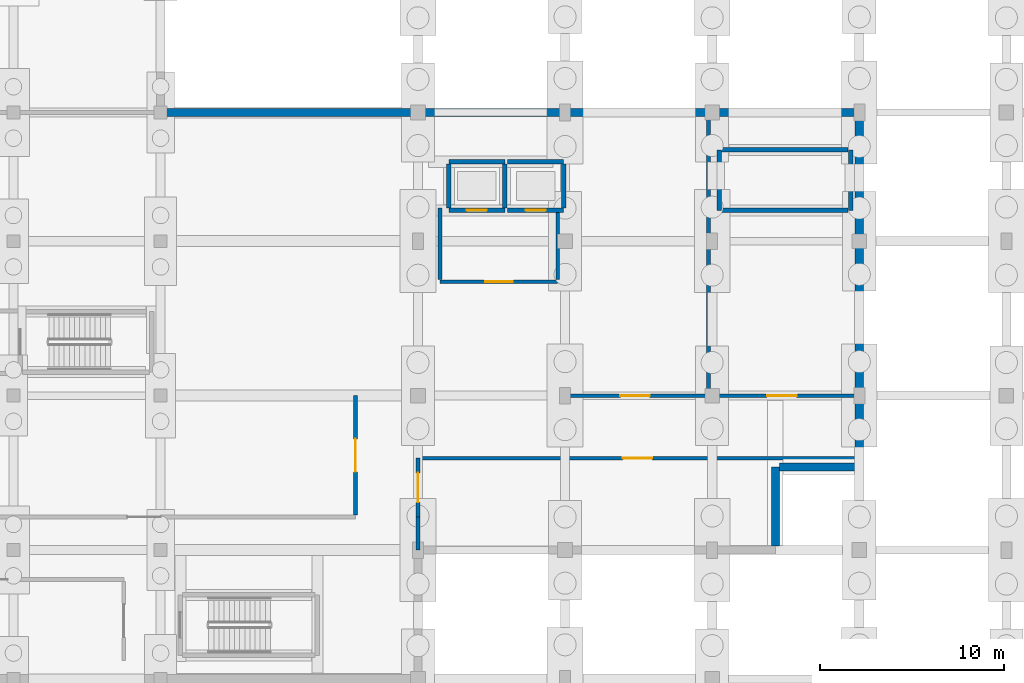
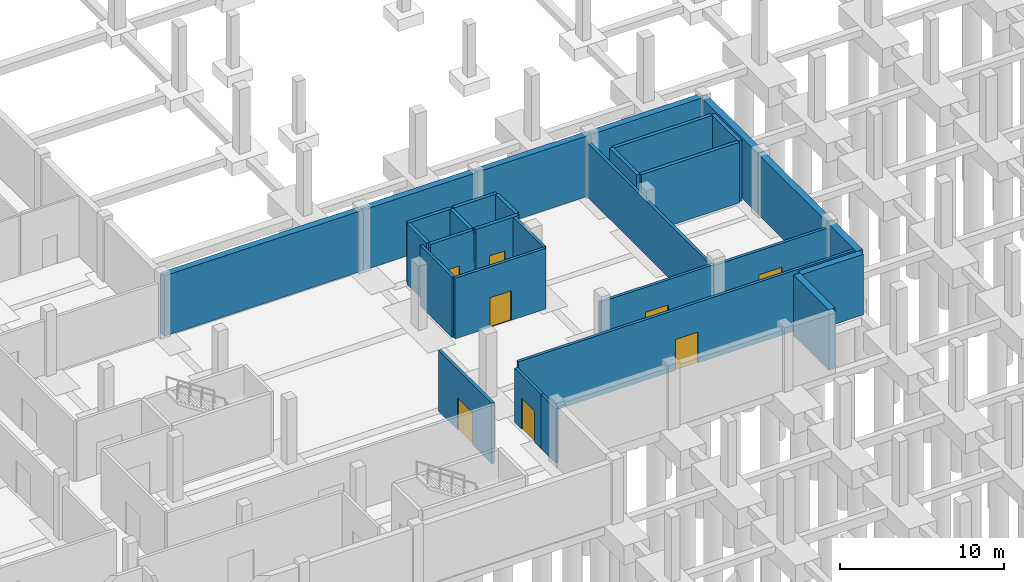
# One storey, part 36 of 50: 30 walls, 8 doors, 8 openings.
"""IFC4 building model written with IfcOpenShell, lengths in metres."""

from ifc_helpers import new_model, si_unit, direction, frame, frame_2d, origin, place, context, subcontext, project, spatial, rectangle, extrude, material, layer, layer_set, type_object, element, fill, save


model = new_model("IFC4")

# Units and contexts
model_context = context("Model", 3, precision=1e-05, world=origin(), true_north=direction((0.0, 1.0)))
body_context = subcontext(model_context, "Body", "Model", "MODEL_VIEW")
ifc_project = project(units=[si_unit("LENGTHUNIT", "METRE"), si_unit("AREAUNIT", "SQUARE_METRE"), si_unit("VOLUMEUNIT", "CUBIC_METRE"), si_unit("PLANEANGLEUNIT", "RADIAN"), si_unit("MASSUNIT", "GRAM", prefix="KILO")], contexts=[model_context])

# Site, building, storey
site_placement = place(None, origin())
site = spatial("IfcSite", under=ifc_project, at=site_placement, CompositionType="ELEMENT")
building_placement = place(site_placement, origin())
building = spatial("IfcBuilding", under=site, at=building_placement, Name="Vekula Escarpment Museum", CompositionType="ELEMENT")
storey_placement = place(building_placement, frame((0.0, 0.0, -4.800048828125)))
storey = spatial("IfcBuildingStorey", under=building, at=storey_placement, Name="B1", CompositionType="ELEMENT", Elevation=-4.800048828125)

# Walls
ifc_material_1 = material(Name="Concrete C35/45", Category="concrete")
ifc_layer_1 = layer(ifc_material_1, 0.25)
ifc_layer_set_1 = layer_set([ifc_layer_1], Name="Concrete C35/45")
wall_type_1 = type_object("IfcWallType", Name="WL-CORE-250", PredefinedType="SHEAR", material=ifc_layer_set_1)
for number, where, z_axis, x_axis, name in (
    (1, (86.375, 78.074951171875, 0.0), (0.0, 0.0, 1.0), (0.0, 1.0, 0.0), "Stair Sub-Plinth Wall ST-09 W"),
    (2, (93.52490234375, 78.074951171875, 0.0), (0.0, 0.0, 1.0), (0.0, 1.0, 0.0), "Stair Sub-Plinth Wall ST-09 E"),
):
    element("IfcWall", number, at=place(storey_placement, frame(where, z_axis=z_axis, x_axis=x_axis)), inside=storey, type_object=wall_type_1, Name=name, PredefinedType="SHEAR", context=body_context, shape_type="SweptSolid", body=[
        extrude(rectangle(XDim=3.2900390625, YDim=0.25, at=frame_2d((1.64501953125, 0.0))), origin(), (0.0, 0.0, 1.0), 4.5),
    ])
for number, where, z_axis, x_axis, name in (
    (3, (86.50390625, 78.074951171875, 0.0), (0.0, 0.0, 1.0), (1.0, 0.0, 0.0), "Stair Sub-Plinth Wall ST-09 S"),
    (4, (86.50390625, 81.364990234375, 0.0), (0.0, 0.0, 1.0), (1.0, 0.0, 0.0), "Stair Sub-Plinth Wall ST-09 N"),
):
    element("IfcWall", number, at=place(storey_placement, frame(where, z_axis=z_axis, x_axis=x_axis)), inside=storey, type_object=wall_type_1, Name=name, PredefinedType="SHEAR", context=body_context, shape_type="SweptSolid", body=[
        extrude(rectangle(XDim=6.89208984375, YDim=0.25, at=frame_2d((3.446044921875, 0.0))), origin(), (0.0, 0.0, 1.0), 4.5),
    ])

# Wall, opening, door
ifc_material_2 = material(Name="Concrete C35/45", Category="concrete")
ifc_layer_2 = layer(ifc_material_2, 0.199951171875)
ifc_layer_set_2 = layer_set([ifc_layer_2], Name="Concrete C35/45")
wall_type_2 = type_object("IfcWallType", Name="WL-FFL-200", PredefinedType="PARTITIONING", material=ifc_layer_set_2)
wall_1_placement = place(storey_placement, frame((71.199951171875, 74.199951171875, 0.0), z_axis=(0.0, 0.0, 1.0), x_axis=(1.0, 0.0, 0.0)))
wall_1 = element("IfcWall", 5, at=wall_1_placement, inside=storey, type_object=wall_type_2, Name="Lift Lobby Wall LP-01 B1 S", PredefinedType="PARTITIONING", context=body_context, shape_type="SweptSolid", body=[
    extrude(rectangle(XDim=6.400146484375, YDim=0.199951171875, at=frame_2d((3.2001953125, 0.0))), origin(), (0.0, 0.0, 1.0), 4.5),
])
opening_1_placement = place(wall_1_placement, frame((2.449951171875, 0.0, 0.0)))
opening_1 = element("IfcOpeningElement", 6, at=opening_1_placement, cuts=wall_1, Name="Opening DR-FD60L", PredefinedType="OPENING", context=body_context, shape_type="SweptSolid", body=[
    extrude(rectangle(XDim=1.5, YDim=2.199951171875, at=frame_2d((0.75, 1.10009765625))), frame((0.0, 0.10986328125, 0.0), z_axis=(0.0, -1.0, 0.0), x_axis=(1.0, 0.0, 0.0)), (0.0, 0.0, 1.0), 0.219970703125),
])
ifc_material_3 = material(Name="Fire-rated glazed lobby door", Category="steel")
door_type_1 = type_object("IfcDoorType", Name="DR-FFLOB-1500x2200", OperationType="NOTDEFINED", PredefinedType="DOOR", material=ifc_material_3)
door_1_placement = place(opening_1_placement, origin())
door_1 = element("IfcDoor", 7, at=door_1_placement, inside=storey, type_object=door_type_1, Name="Lift Lobby Fire Door LP-01 B1", OperationType="SINGLE_SWING_LEFT", OverallHeight=2.199951171875, OverallWidth=1.5, PredefinedType="DOOR", context=body_context, shape_type="SweptSolid", body=[
    extrude(rectangle(XDim=1.5, YDim=2.199951171875, at=frame_2d((0.75, 1.10009765625))), frame((0.0, 0.02490234375, 0.0), z_axis=(0.0, -1.0, 0.0), x_axis=(1.0, 0.0, 0.0)), (0.0, 0.0, 1.0), 0.050048828125),
])
fill(opening_1, door_1)

# Walls
wall_2_placement = place(storey_placement, frame((71.199951171875, 74.303955078125, 0.0), z_axis=(0.0, 0.0, 1.0), x_axis=(0.0, 1.0, 0.0)))
element("IfcWall", 8, at=wall_2_placement, inside=storey, type_object=wall_type_2, Name="Lift Lobby Wall LP-01 B1 W", PredefinedType="PARTITIONING", context=body_context, shape_type="SweptSolid", body=[
    extrude(rectangle(XDim=3.89599609375, YDim=0.199951171875, at=frame_2d((1.947998046875, 0.0))), origin(), (0.0, 0.0, 1.0), 4.5),
])
wall_3_placement = place(storey_placement, frame((77.60009765625, 74.303955078125, 0.0), z_axis=(0.0, 0.0, 1.0), x_axis=(0.0, 1.0, 0.0)))
element("IfcWall", 9, at=wall_3_placement, inside=storey, type_object=wall_type_2, Name="Lift Lobby Wall LP-01 B1 E", PredefinedType="PARTITIONING", context=body_context, shape_type="SweptSolid", body=[
    extrude(rectangle(XDim=3.652099609375, YDim=0.199951171875, at=frame_2d((1.826171875, 0.0))), origin(), (0.0, 0.0, 1.0), 4.5),
])
wall_4_placement = place(storey_placement, frame((70.0, 59.60009765625, 0.0), z_axis=(0.0, 0.0, 1.0), x_axis=(0.0, 1.0, 0.0)))
element("IfcWall", 10, at=wall_4_placement, inside=storey, type_object=wall_type_2, Name="Interior Partition WL-INT-B1-0013", PredefinedType="PARTITIONING", context=body_context, shape_type="SweptSolid", body=[
    extrude(rectangle(XDim=1.7998046875, YDim=0.199951171875, at=frame_2d((0.89990234375, 0.0))), origin(), (0.0, 0.0, 1.0), 4.045166015625),
])

# Wall, opening, door
wall_5_placement = place(storey_placement, frame((66.60009765625, 61.50390625, 0.0), z_axis=(0.0, 0.0, 1.0), x_axis=(0.0, 1.0, 0.0)))
wall_5 = element("IfcWall", 11, at=wall_5_placement, inside=storey, type_object=wall_type_2, Name="Interior Partition WL-INT-B1-0020", PredefinedType="PARTITIONING", context=body_context, shape_type="SweptSolid", body=[
    extrude(rectangle(XDim=6.49609375, YDim=0.199951171875, at=frame_2d((3.248046875, 0.0))), origin(), (0.0, 0.0, 1.0), 4.5),
])
opening_2_placement = place(wall_5_placement, frame((2.347900390625, 0.0, 0.0)))
opening_2 = element("IfcOpeningElement", 12, at=opening_2_placement, cuts=wall_5, Name="Opening DR-FD120", PredefinedType="OPENING", context=body_context, shape_type="SweptSolid", body=[
    extrude(rectangle(XDim=1.800048828125, YDim=2.39990234375, at=frame_2d((0.89990234375, 1.199951171875))), frame((0.0, 0.10986328125, 0.0), z_axis=(0.0, -1.0, 0.0), x_axis=(1.0, 0.0, 0.0)), (0.0, 0.0, 1.0), 0.219970703125),
])
ifc_material_4 = material(Name="Fire-rated steel archive vault door", Category="steel")
door_type_2 = type_object("IfcDoorType", Name="DR-VAULT-1800x2400", OperationType="NOTDEFINED", PredefinedType="DOOR", material=ifc_material_4)
door_2_placement = place(opening_2_placement, origin())
door_2 = element("IfcDoor", 13, at=door_2_placement, inside=storey, type_object=door_type_2, Name="Interior Door B1-016", OperationType="SINGLE_SWING_RIGHT", OverallHeight=2.39990234375, OverallWidth=1.800048828125, PredefinedType="DOOR", context=body_context, shape_type="SweptSolid", body=[
    extrude(rectangle(XDim=1.800048828125, YDim=2.39990234375, at=frame_2d((0.89990234375, 1.199951171875))), frame((0.0, 0.02490234375, 0.0), z_axis=(0.0, -1.0, 0.0), x_axis=(1.0, 0.0, 0.0)), (0.0, 0.0, 1.0), 0.050048828125),
])
fill(opening_2, door_2)

wall_6_placement = place(storey_placement, frame((70.0, 61.39990234375, 0.0), z_axis=(0.0, 0.0, 1.0), x_axis=(0.0, 1.0, 0.0)))
wall_6 = element("IfcWall", 14, at=wall_6_placement, inside=storey, type_object=wall_type_2, Name="Interior Partition WL-INT-B1-0021", PredefinedType="PARTITIONING", context=body_context, shape_type="SweptSolid", body=[
    extrude(rectangle(XDim=3.2001953125, YDim=0.199951171875, at=frame_2d((1.60009765625, 0.0))), origin(), (0.0, 0.0, 1.0), 4.045166015625),
])
opening_3_placement = place(wall_6_placement, frame((0.800048828125, 0.0, 0.0)))
opening_3 = element("IfcOpeningElement", 15, at=opening_3_placement, cuts=wall_6, Name="Opening DR-PL16", PredefinedType="OPENING", context=body_context, shape_type="SweptSolid", body=[
    extrude(rectangle(XDim=1.60009765625, YDim=2.300048828125, at=frame_2d((0.800048828125, 1.14990234375))), frame((0.0, 0.10986328125, 0.0), z_axis=(0.0, -1.0, 0.0), x_axis=(1.0, 0.0, 0.0)), (0.0, 0.0, 1.0), 0.219970703125),
])
ifc_material_5 = material(Name="Louvred steel plant room door", Category="steel")
door_type_3 = type_object("IfcDoorType", Name="DR-PLT-1600x2300", OperationType="NOTDEFINED", PredefinedType="DOOR", material=ifc_material_5)
door_3_placement = place(opening_3_placement, origin())
door_3 = element("IfcDoor", 16, at=door_3_placement, inside=storey, type_object=door_type_3, Name="Interior Door B1-017", OperationType="SINGLE_SWING_LEFT", OverallHeight=2.300048828125, OverallWidth=1.60009765625, PredefinedType="DOOR", context=body_context, shape_type="SweptSolid", body=[
    extrude(rectangle(XDim=1.60009765625, YDim=2.300048828125, at=frame_2d((0.800048828125, 1.14990234375))), frame((0.0, 0.02490234375, 0.0), z_axis=(0.0, -1.0, 0.0), x_axis=(1.0, 0.0, 0.0)), (0.0, 0.0, 1.0), 0.050048828125),
])
fill(opening_3, door_3)

wall_7_placement = place(storey_placement, frame((77.800048828125, 68.0, 0.0), z_axis=(0.0, 0.0, 1.0), x_axis=(1.0, 0.0, 0.0)))
wall_7 = element("IfcWall", 17, at=wall_7_placement, inside=storey, type_object=wall_type_2, Name="Interior Partition WL-INT-B1-0022", PredefinedType="PARTITIONING", context=body_context, shape_type="SweptSolid", body=[
    extrude(rectangle(XDim=8.0, YDim=0.199951171875, at=frame_2d((4.0, 0.0))), origin(), (0.0, 0.0, 1.0), 4.1650390625),
])
opening_4_placement = place(wall_7_placement, frame((3.199951171875, 0.0, 0.0)))
opening_4 = element("IfcOpeningElement", 18, at=opening_4_placement, cuts=wall_7, Name="Opening DR-PL16", PredefinedType="OPENING", context=body_context, shape_type="SweptSolid", body=[
    extrude(rectangle(XDim=1.60009765625, YDim=2.300048828125, at=frame_2d((0.800048828125, 1.14990234375))), frame((0.0, 0.10986328125, 0.0), z_axis=(0.0, -1.0, 0.0), x_axis=(1.0, 0.0, 0.0)), (0.0, 0.0, 1.0), 0.219970703125),
])
door_4_placement = place(opening_4_placement, origin())
door_4 = element("IfcDoor", 19, at=door_4_placement, inside=storey, type_object=door_type_3, Name="Interior Door B1-018", OperationType="SINGLE_SWING_RIGHT", OverallHeight=2.300048828125, OverallWidth=1.60009765625, PredefinedType="DOOR", context=body_context, shape_type="SweptSolid", body=[
    extrude(rectangle(XDim=1.60009765625, YDim=2.300048828125, at=frame_2d((0.800048828125, 1.14990234375))), frame((0.0, 0.02490234375, 0.0), z_axis=(0.0, -1.0, 0.0), x_axis=(1.0, 0.0, 0.0)), (0.0, 0.0, 1.0), 0.050048828125),
])
fill(opening_4, door_4)

wall_8_placement = place(storey_placement, frame((85.800048828125, 68.0, 0.0), z_axis=(0.0, 0.0, 1.0), x_axis=(1.0, 0.0, 0.0)))
wall_8 = element("IfcWall", 20, at=wall_8_placement, inside=storey, type_object=wall_type_2, Name="Interior Partition WL-INT-B1-0023", PredefinedType="PARTITIONING", context=body_context, shape_type="SweptSolid", body=[
    extrude(rectangle(XDim=7.970947265625, YDim=0.199951171875, at=frame_2d((3.9853515625, 0.0))), origin(), (0.0, 0.0, 1.0), 4.0849609375),
])
opening_5_placement = place(wall_8_placement, frame((3.185546875, 0.0, 0.0)))
opening_5 = element("IfcOpeningElement", 21, at=opening_5_placement, cuts=wall_8, Name="Opening DR-PL16", PredefinedType="OPENING", context=body_context, shape_type="SweptSolid", body=[
    extrude(rectangle(XDim=1.60009765625, YDim=2.300048828125, at=frame_2d((0.800048828125, 1.14990234375))), frame((0.0, 0.10986328125, 0.0), z_axis=(0.0, -1.0, 0.0), x_axis=(1.0, 0.0, 0.0)), (0.0, 0.0, 1.0), 0.219970703125),
])
door_5_placement = place(opening_5_placement, origin())
door_5 = element("IfcDoor", 22, at=door_5_placement, inside=storey, type_object=door_type_3, Name="Interior Door B1-019", OperationType="SINGLE_SWING_LEFT", OverallHeight=2.300048828125, OverallWidth=1.60009765625, PredefinedType="DOOR", context=body_context, shape_type="SweptSolid", body=[
    extrude(rectangle(XDim=1.60009765625, YDim=2.300048828125, at=frame_2d((0.800048828125, 1.14990234375))), frame((0.0, 0.02490234375, 0.0), z_axis=(0.0, -1.0, 0.0), x_axis=(1.0, 0.0, 0.0)), (0.0, 0.0, 1.0), 0.050048828125),
])
fill(opening_5, door_5)

wall_9_placement = place(storey_placement, frame((70.10400390625, 64.60009765625, 0.0), z_axis=(0.0, 0.0, 1.0), x_axis=(1.0, 0.0, 0.0)))
wall_9 = element("IfcWall", 23, at=wall_9_placement, inside=storey, type_object=wall_type_2, Name="Interior Partition WL-INT-B1-0024", PredefinedType="PARTITIONING", context=body_context, shape_type="SweptSolid", body=[
    extrude(rectangle(XDim=23.6669921875, YDim=0.199951171875, at=frame_2d((11.83349609375, 0.0))), origin(), (0.0, 0.0, 1.0), 4.5),
])
opening_6_placement = place(wall_9_placement, frame((11.033447265625, 0.0, 0.0)))
opening_6 = element("IfcOpeningElement", 24, at=opening_6_placement, cuts=wall_9, Name="Opening DR-PL16", PredefinedType="OPENING", context=body_context, shape_type="SweptSolid", body=[
    extrude(rectangle(XDim=1.60009765625, YDim=2.300048828125, at=frame_2d((0.800048828125, 1.14990234375))), frame((0.0, 0.10986328125, 0.0), z_axis=(0.0, -1.0, 0.0), x_axis=(1.0, 0.0, 0.0)), (0.0, 0.0, 1.0), 0.219970703125),
])
door_6_placement = place(opening_6_placement, origin())
door_6 = element("IfcDoor", 25, at=door_6_placement, inside=storey, type_object=door_type_3, Name="Interior Door B1-020", OperationType="SINGLE_SWING_RIGHT", OverallHeight=2.300048828125, OverallWidth=1.60009765625, PredefinedType="DOOR", context=body_context, shape_type="SweptSolid", body=[
    extrude(rectangle(XDim=1.60009765625, YDim=2.300048828125, at=frame_2d((0.800048828125, 1.14990234375))), frame((0.0, 0.02490234375, 0.0), z_axis=(0.0, -1.0, 0.0), x_axis=(1.0, 0.0, 0.0)), (0.0, 0.0, 1.0), 0.050048828125),
])
fill(opening_6, door_6)

# Walls
wall_10_placement = place(storey_placement, frame((85.800048828125, 68.10400390625, 0.0), z_axis=(0.0, 0.0, 1.0), x_axis=(0.0, 1.0, 0.0)))
element("IfcWall", 26, at=wall_10_placement, inside=storey, type_object=wall_type_2, Name="Interior Partition WL-INT-B1-0025", PredefinedType="PARTITIONING", context=body_context, shape_type="SweptSolid", body=[
    extrude(rectangle(XDim=15.06689453125, YDim=0.199951171875, at=frame_2d((7.533447265625, 0.0))), origin(), (0.0, 0.0, 1.0), 4.045166015625),
])
ifc_material_6 = material(Name="Concrete C35/45", Category="concrete")
ifc_layer_3 = layer(ifc_material_6, 0.449951171875)
ifc_layer_set_3 = layer_set([ifc_layer_3], Name="Concrete C35/45")
wall_type_3 = type_object("IfcWallType", Name="WL-RET-450", PredefinedType="USERDEFINED", material=ifc_layer_set_3)
wall_11_placement = place(storey_placement, frame((89.43994140625, 64.1220703125, 0.0), z_axis=(0.0, 0.0, 1.0), x_axis=(0.0, -1.0, 0.0)))
element("IfcWall", 27, at=wall_11_placement, inside=storey, type_object=wall_type_3, Name="Exterior Wall WL-EXT-B1-0010", ObjectType="RETAINING WALL", PredefinedType="USERDEFINED", context=body_context, shape_type="SweptSolid", body=[
    extrude(rectangle(XDim=4.29296875, YDim=0.449951171875, at=frame_2d((2.146484375, 0.0))), origin(), (0.0, 0.0, 1.0), 4.5),
])
wall_12_placement = place(storey_placement, frame((94.0, 64.1220703125, 0.0), z_axis=(0.0, 0.0, 1.0), x_axis=(-1.0, 0.0, 0.0)))
element("IfcWall", 28, at=wall_12_placement, inside=storey, type_object=wall_type_3, Name="Exterior Wall WL-EXT-B1-0011", ObjectType="RETAINING WALL", PredefinedType="USERDEFINED", context=body_context, shape_type="SweptSolid", body=[
    extrude(rectangle(XDim=4.3310546875, YDim=0.449951171875, at=frame_2d((2.16552734375, 0.0))), origin(), (0.0, 0.0, 1.0), 4.5),
])
wall_13_placement = place(storey_placement, frame((94.0, 68.0, 0.0), z_axis=(0.0, 0.0, 1.0), x_axis=(0.0, -1.0, 0.0)))
element("IfcWall", 29, at=wall_13_placement, inside=storey, type_object=wall_type_3, Name="Exterior Wall WL-EXT-B1-0012", ObjectType="RETAINING WALL", PredefinedType="USERDEFINED", context=body_context, shape_type="SweptSolid", body=[
    extrude(rectangle(XDim=3.64892578125, YDim=0.449951171875, at=frame_2d((1.824462890625, 0.0))), origin(), (0.0, 0.0, 1.0), 4.5),
])
wall_14_placement = place(storey_placement, frame((94.0, 76.39990234375, 0.0), z_axis=(0.0, 0.0, 1.0), x_axis=(0.0, -1.0, 0.0)))
element("IfcWall", 30, at=wall_14_placement, inside=storey, type_object=wall_type_3, Name="Exterior Wall WL-EXT-B1-0013", ObjectType="RETAINING WALL", PredefinedType="USERDEFINED", context=body_context, shape_type="SweptSolid", body=[
    extrude(rectangle(XDim=8.39990234375, YDim=0.449951171875, at=frame_2d((4.199951171875, 0.0))), origin(), (0.0, 0.0, 1.0), 4.5),
])
wall_15_placement = place(storey_placement, frame((94.0, 83.39990234375, 0.0), z_axis=(0.0, 0.0, 1.0), x_axis=(0.0, -1.0, 0.0)))
element("IfcWall", 31, at=wall_15_placement, inside=storey, type_object=wall_type_3, Name="Exterior Wall WL-EXT-B1-0014", ObjectType="RETAINING WALL", PredefinedType="USERDEFINED", context=body_context, shape_type="SweptSolid", body=[
    extrude(rectangle(XDim=7.0, YDim=0.449951171875, at=frame_2d((3.5, 0.0))), origin(), (0.0, 0.0, 1.0), 4.5),
])
wall_16_placement = place(storey_placement, frame((86.0, 83.39990234375, 0.0), z_axis=(0.0, 0.0, 1.0), x_axis=(1.0, 0.0, 0.0)))
element("IfcWall", 32, at=wall_16_placement, inside=storey, type_object=wall_type_3, Name="Exterior Wall WL-EXT-B1-0015", ObjectType="RETAINING WALL", PredefinedType="USERDEFINED", context=body_context, shape_type="SweptSolid", body=[
    extrude(rectangle(XDim=7.77099609375, YDim=0.449951171875, at=frame_2d((3.885498046875, 0.0))), origin(), (0.0, 0.0, 1.0), 4.5),
])
for number, where, z_axis, x_axis, name in (
    (33, (78.0, 83.39990234375, 0.0), (0.0, 0.0, 1.0), (1.0, 0.0, 0.0), "Exterior Wall WL-EXT-B1-0016"),
    (34, (70.0, 83.39990234375, 0.0), (0.0, 0.0, 1.0), (1.0, 0.0, 0.0), "Exterior Wall WL-EXT-B1-0017"),
):
    element("IfcWall", number, at=place(storey_placement, frame(where, z_axis=z_axis, x_axis=x_axis)), inside=storey, type_object=wall_type_3, Name=name, ObjectType="RETAINING WALL", PredefinedType="USERDEFINED", context=body_context, shape_type="SweptSolid", body=[
        extrude(rectangle(XDim=8.0, YDim=0.449951171875, at=frame_2d((4.0, 0.0))), origin(), (0.0, 0.0, 1.0), 4.5),
    ])
wall_17_placement = place(storey_placement, frame((56.0, 83.39990234375, 0.0), z_axis=(0.0, 0.0, 1.0), x_axis=(1.0, 0.0, 0.0)))
element("IfcWall", 35, at=wall_17_placement, inside=storey, type_object=wall_type_3, Name="Exterior Wall WL-EXT-B1-0018", ObjectType="RETAINING WALL", PredefinedType="USERDEFINED", context=body_context, shape_type="SweptSolid", body=[
    extrude(rectangle(XDim=14.0, YDim=0.449951171875, at=frame_2d((7.0, 0.0))), origin(), (0.0, 0.0, 1.0), 4.5),
])

# Wall, opening, door
ifc_material_7 = material(Name="Concrete C35/45", Category="concrete")
ifc_layer_4 = layer(ifc_material_7, 0.239990234375)
ifc_layer_set_4 = layer_set([ifc_layer_4], Name="Concrete C35/45")
wall_type_4 = type_object("IfcWallType", Name="WL-SHF-240", PredefinedType="SHEAR", material=ifc_layer_set_4)
wall_18_placement = place(storey_placement, frame((71.679931640625, 78.080078125, 0.0), z_axis=(0.0, 0.0, 1.0), x_axis=(1.0, 0.0, 0.0)))
wall_18 = element("IfcWall", 36, at=wall_18_placement, inside=storey, type_object=wall_type_4, Name="Lift Shaft Wall LP-01 B1 S", PredefinedType="SHEAR", context=body_context, shape_type="SweptSolid", body=[
    extrude(rectangle(XDim=3.0400390625, YDim=0.239990234375, at=frame_2d((1.52001953125, 0.0))), origin(), (0.0, 0.0, 1.0), 4.5),
])
opening_7_placement = place(wall_18_placement, frame((0.969970703125, 0.0, 0.0)))
opening_7 = element("IfcOpeningElement", 37, at=opening_7_placement, cuts=wall_18, Name="Opening LD-PAX", PredefinedType="OPENING", context=body_context, shape_type="SweptSolid", body=[
    extrude(rectangle(XDim=1.10009765625, YDim=2.199951171875, at=frame_2d((0.550048828125, 1.10009765625))), frame((0.0, 0.1298828125, 0.0), z_axis=(0.0, -1.0, 0.0), x_axis=(1.0, 0.0, 0.0)), (0.0, 0.0, 1.0), 0.260009765625),
])
ifc_material_8 = material(Name="Brushed stainless steel sliding lift landing door", Category="steel")
door_type_4 = type_object("IfcDoorType", Name="DR-LD-PAX-1100", OperationType="DOUBLE_DOOR_SLIDING", PredefinedType="DOOR", material=ifc_material_8)
door_7_placement = place(opening_7_placement, origin())
door_7 = element("IfcDoor", 38, at=door_7_placement, inside=storey, type_object=door_type_4, Name="Sliding Lift Landing Door LP-01 B1", OperationType="DOUBLE_DOOR_SLIDING", OverallHeight=2.199951171875, OverallWidth=1.10009765625, PredefinedType="DOOR", context=body_context, shape_type="SweptSolid", body=[
    extrude(rectangle(XDim=1.10009765625, YDim=2.199951171875, at=frame_2d((0.550048828125, 1.10009765625))), frame((0.0, 0.02490234375, 0.0), z_axis=(0.0, -1.0, 0.0), x_axis=(1.0, 0.0, 0.0)), (0.0, 0.0, 1.0), 0.050048828125),
])
fill(opening_7, door_7)

# Walls
wall_19_placement = place(storey_placement, frame((71.679931640625, 80.719970703125, 0.0), z_axis=(0.0, 0.0, 1.0), x_axis=(1.0, 0.0, 0.0)))
element("IfcWall", 39, at=wall_19_placement, inside=storey, type_object=wall_type_4, Name="Lift Shaft Wall LP-01 B1 N", PredefinedType="SHEAR", context=body_context, shape_type="SweptSolid", body=[
    extrude(rectangle(XDim=3.0400390625, YDim=0.239990234375, at=frame_2d((1.52001953125, 0.0))), origin(), (0.0, 0.0, 1.0), 4.5),
])
for number, where, z_axis, x_axis, name in (
    (40, (71.679931640625, 78.2041015625, 0.0), (0.0, 0.0, 1.0), (0.0, 1.0, 0.0), "Lift Shaft Wall LP-01 B1 W"),
    (41, (74.719970703125, 78.2041015625, 0.0), (0.0, 0.0, 1.0), (0.0, 1.0, 0.0), "Lift Shaft Wall LP-01 B1 E"),
):
    element("IfcWall", number, at=place(storey_placement, frame(where, z_axis=z_axis, x_axis=x_axis)), inside=storey, type_object=wall_type_4, Name=name, PredefinedType="SHEAR", context=body_context, shape_type="SweptSolid", body=[
        extrude(rectangle(XDim=2.391845703125, YDim=0.239990234375, at=frame_2d((1.19580078125, 0.0))), origin(), (0.0, 0.0, 1.0), 4.5),
    ])

# Wall, opening, door
wall_20_placement = place(storey_placement, frame((74.8798828125, 78.080078125, 0.0), z_axis=(0.0, 0.0, 1.0), x_axis=(1.0, 0.0, 0.0)))
wall_20 = element("IfcWall", 42, at=wall_20_placement, inside=storey, type_object=wall_type_4, Name="Lift Shaft Wall LP-02 B1 S", PredefinedType="SHEAR", context=body_context, shape_type="SweptSolid", body=[
    extrude(rectangle(XDim=3.0400390625, YDim=0.239990234375, at=frame_2d((1.52001953125, 0.0))), origin(), (0.0, 0.0, 1.0), 4.5),
])
opening_8_placement = place(wall_20_placement, frame((0.969970703125, 0.0, 0.0)))
opening_8 = element("IfcOpeningElement", 43, at=opening_8_placement, cuts=wall_20, Name="Opening LD-PAX", PredefinedType="OPENING", context=body_context, shape_type="SweptSolid", body=[
    extrude(rectangle(XDim=1.10009765625, YDim=2.199951171875, at=frame_2d((0.550048828125, 1.10009765625))), frame((0.0, 0.1298828125, 0.0), z_axis=(0.0, -1.0, 0.0), x_axis=(1.0, 0.0, 0.0)), (0.0, 0.0, 1.0), 0.260009765625),
])
door_8_placement = place(opening_8_placement, origin())
door_8 = element("IfcDoor", 44, at=door_8_placement, inside=storey, type_object=door_type_4, Name="Sliding Lift Landing Door LP-02 B1", OperationType="DOUBLE_DOOR_SLIDING", OverallHeight=2.199951171875, OverallWidth=1.10009765625, PredefinedType="DOOR", context=body_context, shape_type="SweptSolid", body=[
    extrude(rectangle(XDim=1.10009765625, YDim=2.199951171875, at=frame_2d((0.550048828125, 1.10009765625))), frame((0.0, 0.02490234375, 0.0), z_axis=(0.0, -1.0, 0.0), x_axis=(1.0, 0.0, 0.0)), (0.0, 0.0, 1.0), 0.050048828125),
])
fill(opening_8, door_8)

# Walls
wall_21_placement = place(storey_placement, frame((74.8798828125, 80.719970703125, 0.0), z_axis=(0.0, 0.0, 1.0), x_axis=(1.0, 0.0, 0.0)))
element("IfcWall", 45, at=wall_21_placement, inside=storey, type_object=wall_type_4, Name="Lift Shaft Wall LP-02 B1 N", PredefinedType="SHEAR", context=body_context, shape_type="SweptSolid", body=[
    extrude(rectangle(XDim=3.0400390625, YDim=0.239990234375, at=frame_2d((1.52001953125, 0.0))), origin(), (0.0, 0.0, 1.0), 4.5),
])
wall_22_placement = place(storey_placement, frame((77.919921875, 78.2041015625, 0.0), z_axis=(0.0, 0.0, 1.0), x_axis=(0.0, 1.0, 0.0)))
element("IfcWall", 46, at=wall_22_placement, inside=storey, type_object=wall_type_4, Name="Lift Shaft Wall LP-02 B1 E", PredefinedType="SHEAR", context=body_context, shape_type="SweptSolid", body=[
    extrude(rectangle(XDim=2.391845703125, YDim=0.239990234375, at=frame_2d((1.19580078125, 0.0))), origin(), (0.0, 0.0, 1.0), 4.5),
])

save(model, "model.ifc")
